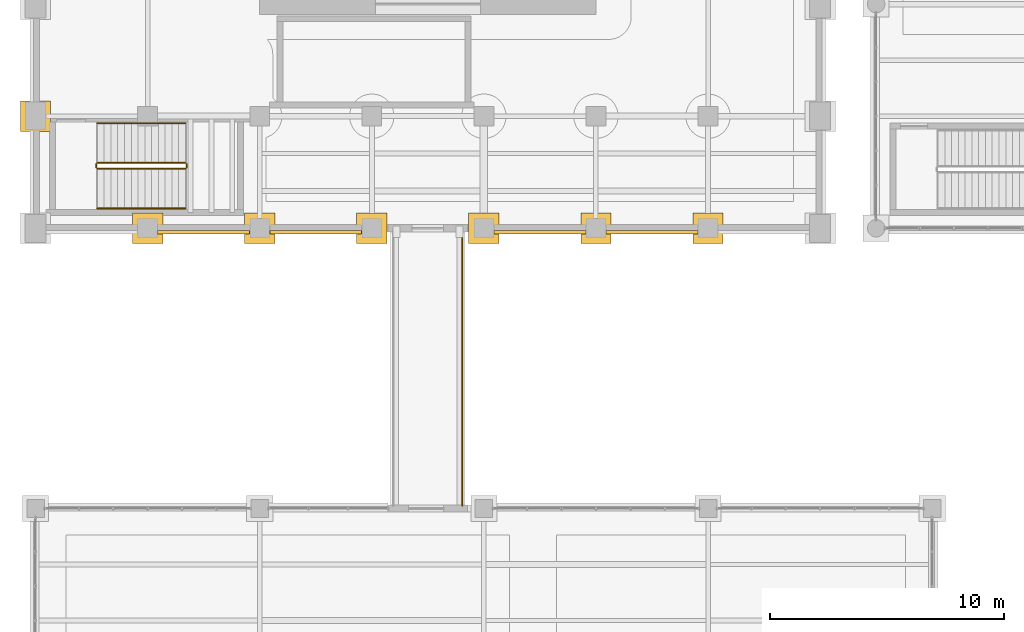
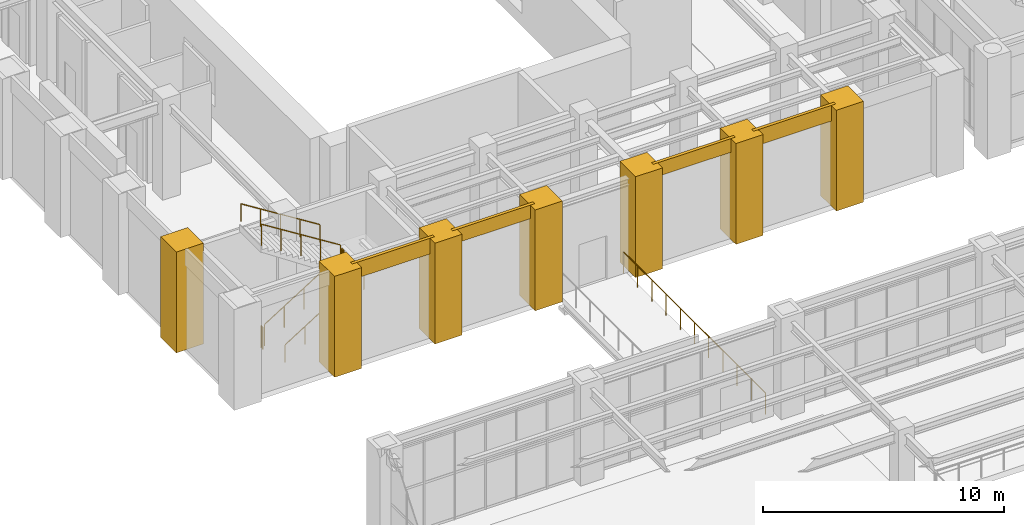
# One storey, part 155 of 174: 11 coverings, 7 railings.
"""IFC4 building model written with IfcOpenShell, lengths in metres."""

from ifc_helpers import new_model, si_unit, direction, frame, origin, origin_2d, place, context, subcontext, project, spatial, polyline, circle, outline, extrude, material, layer, layer_set, type_object, element, save


model = new_model("IFC4")

# Units and contexts
model_context = context("Model", 3, precision=1e-05, world=origin(), true_north=direction((0.0, 1.0)))
body_context = subcontext(model_context, "Body", "Model", "MODEL_VIEW")
ifc_project = project(units=[si_unit("LENGTHUNIT", "METRE"), si_unit("AREAUNIT", "SQUARE_METRE"), si_unit("VOLUMEUNIT", "CUBIC_METRE"), si_unit("PLANEANGLEUNIT", "RADIAN"), si_unit("MASSUNIT", "GRAM", prefix="KILO")], contexts=[model_context])

# Site, building, storey
site_placement = place(None, origin())
site = spatial("IfcSite", under=ifc_project, at=site_placement, CompositionType="ELEMENT")
building_placement = place(site_placement, origin())
building = spatial("IfcBuilding", under=site, at=building_placement, Name="Mavantir Sound Aquarium", CompositionType="ELEMENT")
storey_placement = place(building_placement, frame((0.0, 0.0, 5.39990234375)))
storey = spatial("IfcBuildingStorey", under=building, at=storey_placement, Name="L01", CompositionType="ELEMENT", Elevation=5.39990234375)

# Coverings
ifc_material_1 = material(Name="Honed Coral-Limestone & Glazed Terracotta Rainscreen Cladding", Category="masonry")
ifc_layer = layer(ifc_material_1, 0.06005859375, Name="Honed Coral-Limestone & Glazed Terracotta Rainscreen Cladding")
ifc_layer_set = layer_set([ifc_layer], Name="Honed Coral-Limestone & Glazed Terracotta Rainscreen Cladding")
covering_type = type_object("IfcCoveringType", Name="COV-CLAD-TC", PredefinedType="CLADDING", material=ifc_layer_set)
covering_1_placement = place(storey_placement, frame((0.0, 0.0, 4.30810546875)))
element("IfcCovering", 1, at=covering_1_placement, inside=storey, type_object=covering_type, Name="L01 Postmodern coral-limestone spandrel frieze 177", PredefinedType="CLADDING", context=body_context, shape_type="SweptSolid", body=[
    extrude(outline(polyline([(5.23291015625, 40.7099609375), (9.1669921875, 40.7099609375), (9.1669921875, 40.56005859375), (5.23291015625, 40.56005859375), (5.23291015625, 40.7099609375)])), origin(), (0.0, 0.0, 1.0), 0.7919921875),
])
covering_2_placement = place(storey_placement, frame((0.0, 0.0, 4.4130859375)))
element("IfcCovering", 2, at=covering_2_placement, inside=storey, type_object=covering_type, Name="L01 Postmodern coral-limestone spandrel frieze 178", PredefinedType="CLADDING", context=body_context, shape_type="SweptSolid", body=[
    extrude(outline(polyline([(10.032958984375, 40.7099609375), (13.967041015625, 40.7099609375), (13.967041015625, 40.56005859375), (10.032958984375, 40.56005859375), (10.032958984375, 40.7099609375)])), origin(), (0.0, 0.0, 1.0), 0.68701171875),
])
covering_3_placement = place(storey_placement, frame((0.0, 0.0, 4.4130859375)))
element("IfcCovering", 3, at=covering_3_placement, inside=storey, type_object=covering_type, Name="L01 Postmodern coral-limestone spandrel frieze 179", PredefinedType="CLADDING", context=body_context, shape_type="SweptSolid", body=[
    extrude(outline(polyline([(19.633056640625, 40.7099609375), (23.56689453125, 40.7099609375), (23.56689453125, 40.56005859375), (19.633056640625, 40.56005859375), (19.633056640625, 40.7099609375)])), origin(), (0.0, 0.0, 1.0), 0.68701171875),
])
covering_4_placement = place(storey_placement, frame((0.0, 0.0, 4.30810546875)))
element("IfcCovering", 4, at=covering_4_placement, inside=storey, type_object=covering_type, Name="L01 Postmodern coral-limestone spandrel frieze 180", PredefinedType="CLADDING", context=body_context, shape_type="SweptSolid", body=[
    extrude(outline(polyline([(24.43310546875, 40.7099609375), (28.366943359375, 40.7099609375), (28.366943359375, 40.56005859375), (24.43310546875, 40.56005859375), (24.43310546875, 40.7099609375)])), origin(), (0.0, 0.0, 1.0), 0.7919921875),
])
covering_5_placement = place(storey_placement, origin())
element("IfcCovering", 5, at=covering_5_placement, inside=storey, type_object=covering_type, Name="L01 Postmodern coral-limestone pilaster casing 6", PredefinedType="CLADDING", context=body_context, shape_type="SweptSolid", body=[
    extrude(outline(polyline([(-0.64990234375, 44.949951171875), (0.64990234375, 44.949951171875), (0.64990234375, 46.25), (-0.64990234375, 46.25), (-0.64990234375, 44.949951171875)])), origin(), (0.0, 0.0, 1.0), 5.10009765625),
])
covering_6_placement = place(storey_placement, origin())
element("IfcCovering", 6, at=covering_6_placement, inside=storey, type_object=covering_type, Name="L01 Postmodern coral-limestone pilaster casing 38", PredefinedType="CLADDING", context=body_context, shape_type="SweptSolid", body=[
    extrude(outline(polyline([(4.14990234375, 40.14990234375), (5.449951171875, 40.14990234375), (5.449951171875, 41.449951171875), (4.14990234375, 41.449951171875), (4.14990234375, 40.14990234375)])), origin(), (0.0, 0.0, 1.0), 5.10009765625),
])
covering_7_placement = place(storey_placement, origin())
element("IfcCovering", 7, at=covering_7_placement, inside=storey, type_object=covering_type, Name="L01 Postmodern coral-limestone pilaster casing 46", PredefinedType="CLADDING", context=body_context, shape_type="SweptSolid", body=[
    extrude(outline(polyline([(8.949951171875, 40.14990234375), (10.25, 40.14990234375), (10.25, 41.449951171875), (8.949951171875, 41.449951171875), (8.949951171875, 40.14990234375)])), origin(), (0.0, 0.0, 1.0), 5.10009765625),
])
covering_8_placement = place(storey_placement, origin())
element("IfcCovering", 8, at=covering_8_placement, inside=storey, type_object=covering_type, Name="L01 Postmodern coral-limestone pilaster casing 54", PredefinedType="CLADDING", context=body_context, shape_type="SweptSolid", body=[
    extrude(outline(polyline([(13.75, 40.14990234375), (15.050048828125, 40.14990234375), (15.050048828125, 41.449951171875), (13.75, 41.449951171875), (13.75, 40.14990234375)])), origin(), (0.0, 0.0, 1.0), 5.10009765625),
])
covering_9_placement = place(storey_placement, origin())
element("IfcCovering", 9, at=covering_9_placement, inside=storey, type_object=covering_type, Name="L01 Postmodern coral-limestone pilaster casing 62", PredefinedType="CLADDING", context=body_context, shape_type="SweptSolid", body=[
    extrude(outline(polyline([(18.550048828125, 40.14990234375), (19.85009765625, 40.14990234375), (19.85009765625, 41.449951171875), (18.550048828125, 41.449951171875), (18.550048828125, 40.14990234375)])), origin(), (0.0, 0.0, 1.0), 5.10009765625),
])
covering_10_placement = place(storey_placement, origin())
element("IfcCovering", 10, at=covering_10_placement, inside=storey, type_object=covering_type, Name="L01 Postmodern coral-limestone pilaster casing 70", PredefinedType="CLADDING", context=body_context, shape_type="SweptSolid", body=[
    extrude(outline(polyline([(23.35009765625, 40.14990234375), (24.64990234375, 40.14990234375), (24.64990234375, 41.449951171875), (23.35009765625, 41.449951171875), (23.35009765625, 40.14990234375)])), origin(), (0.0, 0.0, 1.0), 5.10009765625),
])
covering_11_placement = place(storey_placement, origin())
element("IfcCovering", 11, at=covering_11_placement, inside=storey, type_object=covering_type, Name="L01 Postmodern coral-limestone pilaster casing 78", PredefinedType="CLADDING", context=body_context, shape_type="SweptSolid", body=[
    extrude(outline(polyline([(28.14990234375, 40.14990234375), (29.449951171875, 40.14990234375), (29.449951171875, 41.449951171875), (28.14990234375, 41.449951171875), (28.14990234375, 40.14990234375)])), origin(), (0.0, 0.0, 1.0), 5.10009765625),
])

# Railings
ifc_material_2 = material(Name="Stainless Steel 316 Bridge Balustrade", Category="steel")
railing_type_1 = type_object("IfcRailingType", Name="RL-BAL-110", PredefinedType="BALUSTRADE", material=ifc_material_2)
railing_1_placement = place(storey_placement, frame((18.280029296875, 28.919921875, 0.0)))
element("IfcRailing", 12, at=railing_1_placement, inside=storey, type_object=railing_type_1, Name="L01 bridge E guardrail 7", PredefinedType="BALUSTRADE", context=body_context, shape_type="SweptSolid", body=[
    extrude(circle(Radius=0.02392578125, at=origin_2d()), frame((0.0, 0.0, 1.076171875), z_axis=(0.0, 1.0, 0.0), x_axis=(-1.0, 0.0, 0.0)), (0.0, 0.0, 1.0), 11.760009765625),
    extrude(circle(Radius=0.02099609375, at=origin_2d()), origin(), (0.0, 0.0, 1.0), 1.052001953125),
    extrude(circle(Radius=0.02099609375, at=origin_2d()), frame((0.0, 1.176025390625, 0.0)), (0.0, 0.0, 1.0), 1.052001953125),
    extrude(circle(Radius=0.02099609375, at=origin_2d()), frame((0.0, 2.35205078125, 0.0)), (0.0, 0.0, 1.0), 1.052001953125),
    extrude(circle(Radius=0.02099609375, at=origin_2d()), frame((0.0, 3.528076171875, 0.0)), (0.0, 0.0, 1.0), 1.052001953125),
    extrude(circle(Radius=0.02099609375, at=origin_2d()), frame((0.0, 4.7041015625, 0.0)), (0.0, 0.0, 1.0), 1.052001953125),
    extrude(circle(Radius=0.02099609375, at=origin_2d()), frame((0.0, 5.8798828125, 0.0)), (0.0, 0.0, 1.0), 1.052001953125),
    extrude(circle(Radius=0.02099609375, at=origin_2d()), frame((0.0, 7.055908203125, 0.0)), (0.0, 0.0, 1.0), 1.052001953125),
    extrude(circle(Radius=0.02099609375, at=origin_2d()), frame((0.0, 8.23193359375, 0.0)), (0.0, 0.0, 1.0), 1.052001953125),
    extrude(circle(Radius=0.02099609375, at=origin_2d()), frame((0.0, 9.407958984375, 0.0)), (0.0, 0.0, 1.0), 1.052001953125),
    extrude(circle(Radius=0.02099609375, at=origin_2d()), frame((0.0, 10.583984375, 0.0)), (0.0, 0.0, 1.0), 1.052001953125),
    extrude(circle(Radius=0.02099609375, at=origin_2d()), frame((0.0, 11.760009765625, 0.0)), (0.0, 0.0, 1.0), 1.052001953125),
])
ifc_material_3 = material(Name="Stainless Steel 316 and Laminated Glass Guardrail", Category="steel")
railing_type_2 = type_object("IfcRailingType", Name="RL-GUARD-110", PredefinedType="GUARDRAIL", material=ifc_material_3)
railing_2_placement = place(storey_placement, frame((2.64990234375, 43.35009765625, 0.18212890625)))
element("IfcRailing", 13, at=railing_2_placement, inside=storey, type_object=railing_type_2, Name="L01 ST1 stair guard 1", PredefinedType="GUARDRAIL", context=body_context, shape_type="SweptSolid", body=[
    extrude(circle(Radius=0.02392578125, at=origin_2d()), frame((0.0, 0.0, 1.076171875), z_axis=(0.846819337722, 0.0, 0.53188063441), x_axis=(0.0, 1.0, 0.0)), (0.0, 0.0, 1.0), 4.451904296875),
    extrude(circle(Radius=0.02099609375, at=origin_2d()), origin(), (0.0, 0.0, 1.0), 1.052001953125),
    extrude(circle(Radius=0.02099609375, at=origin_2d()), frame((0.9423828125, 0.0, 0.592041015625)), (0.0, 0.0, 1.0), 1.052001953125),
    extrude(circle(Radius=0.02099609375, at=origin_2d()), frame((1.885009765625, 0.0, 1.18408203125)), (0.0, 0.0, 1.0), 1.052001953125),
    extrude(circle(Radius=0.02099609375, at=origin_2d()), frame((2.82763671875, 0.0, 1.77587890625)), (0.0, 0.0, 1.0), 1.052001953125),
    extrude(circle(Radius=0.02099609375, at=origin_2d()), frame((3.77001953125, 0.0, 2.367919921875)), (0.0, 0.0, 1.0), 1.052001953125),
])
railing_3_placement = place(storey_placement, frame((6.469970703125, 43.39990234375, 2.550048828125)))
element("IfcRailing", 14, at=railing_3_placement, inside=storey, type_object=railing_type_2, Name="L01 ST1 stair guard 2", PredefinedType="GUARDRAIL", context=body_context, shape_type="SweptSolid", body=[
    extrude(circle(Radius=0.02392578125, at=origin_2d()), frame((0.0, 0.0, 1.076171875), z_axis=(0.0, 1.0, 0.0), x_axis=(-1.0, 0.0, 0.0)), (0.0, 0.0, 1.0), 0.150146484375),
    extrude(circle(Radius=0.02099609375, at=origin_2d()), origin(), (0.0, 0.0, 1.0), 1.052001953125),
    extrude(circle(Radius=0.02099609375, at=origin_2d()), frame((0.0, 0.150146484375, 0.0)), (0.0, 0.0, 1.0), 1.052001953125),
])
railing_4_placement = place(storey_placement, frame((6.419921875, 43.60009765625, 2.732177734375)))
element("IfcRailing", 15, at=railing_4_placement, inside=storey, type_object=railing_type_2, Name="L01 ST1 stair guard 3", PredefinedType="GUARDRAIL", context=body_context, shape_type="SweptSolid", body=[
    extrude(circle(Radius=0.02392578125, at=origin_2d()), frame((0.0, 0.0, 1.076171875), z_axis=(-0.846819337722, 0.0, 0.53188063441), x_axis=(0.0, -1.0, 0.0)), (0.0, 0.0, 1.0), 4.451904296875),
    extrude(circle(Radius=0.02099609375, at=origin_2d()), origin(), (0.0, 0.0, 1.0), 1.052001953125),
    extrude(circle(Radius=0.02099609375, at=origin_2d()), frame((-0.9423828125, 0.0, 0.592041015625)), (0.0, 0.0, 1.0), 1.052001953125),
    extrude(circle(Radius=0.02099609375, at=origin_2d()), frame((-1.885009765625, 0.0, 1.18408203125)), (0.0, 0.0, 1.0), 1.052001953125),
    extrude(circle(Radius=0.02099609375, at=origin_2d()), frame((-2.82763671875, 0.0, 1.77587890625)), (0.0, 0.0, 1.0), 1.052001953125),
    extrude(circle(Radius=0.02099609375, at=origin_2d()), frame((-3.77001953125, 0.0, 2.367919921875)), (0.0, 0.0, 1.0), 1.052001953125),
])
railing_5_placement = place(storey_placement, frame((2.60009765625, 43.39990234375, 0.0)))
element("IfcRailing", 16, at=railing_5_placement, inside=storey, type_object=railing_type_2, Name="L01 ST1 stair guard 4", PredefinedType="GUARDRAIL", context=body_context, shape_type="SweptSolid", body=[
    extrude(circle(Radius=0.02392578125, at=origin_2d()), frame((0.0, 0.0, 1.076171875), z_axis=(0.0, 1.0, 0.0), x_axis=(-1.0, 0.0, 0.0)), (0.0, 0.0, 1.0), 0.150146484375),
    extrude(circle(Radius=0.02099609375, at=origin_2d()), origin(), (0.0, 0.0, 1.0), 1.052001953125),
    extrude(circle(Radius=0.02099609375, at=origin_2d()), frame((0.0, 0.150146484375, 0.0)), (0.0, 0.0, 1.0), 1.052001953125),
])
ifc_material_4 = material(Name="Brushed Stainless Steel 316 Handrail", Category="steel")
railing_type_3 = type_object("IfcRailingType", Name="RL-HR-90", PredefinedType="HANDRAIL", material=ifc_material_4)
railing_6_placement = place(storey_placement, frame((2.64990234375, 41.64990234375, 0.3671875)))
element("IfcRailing", 17, at=railing_6_placement, inside=storey, type_object=railing_type_3, Name="L01 ST1 stair handrail 1", PredefinedType="HANDRAIL", context=body_context, shape_type="SweptSolid", body=[
    extrude(circle(Radius=0.02392578125, at=origin_2d()), frame((0.0, 0.0, 0.89111328125), z_axis=(0.846819337722, 0.0, 0.53188063441), x_axis=(0.0, 1.0, 0.0)), (0.0, 0.0, 1.0), 4.451904296875),
    extrude(circle(Radius=0.02099609375, at=origin_2d()), origin(), (0.0, 0.0, 1.0), 0.866943359375),
    extrude(circle(Radius=0.02099609375, at=origin_2d()), frame((0.9423828125, 0.0, 0.592041015625)), (0.0, 0.0, 1.0), 0.866943359375),
    extrude(circle(Radius=0.02099609375, at=origin_2d()), frame((1.885009765625, 0.0, 1.18408203125)), (0.0, 0.0, 1.0), 0.866943359375),
    extrude(circle(Radius=0.02099609375, at=origin_2d()), frame((2.82763671875, 0.0, 1.77587890625)), (0.0, 0.0, 1.0), 0.866943359375),
    extrude(circle(Radius=0.02099609375, at=origin_2d()), frame((3.77001953125, 0.0, 2.367919921875)), (0.0, 0.0, 1.0), 0.866943359375),
])
railing_7_placement = place(storey_placement, frame((6.419921875, 45.300048828125, 2.917236328125)))
element("IfcRailing", 18, at=railing_7_placement, inside=storey, type_object=railing_type_3, Name="L01 ST1 stair handrail 2", PredefinedType="HANDRAIL", context=body_context, shape_type="SweptSolid", body=[
    extrude(circle(Radius=0.02392578125, at=origin_2d()), frame((0.0, 0.0, 0.89111328125), z_axis=(-0.846819337722, 0.0, 0.53188063441), x_axis=(0.0, -1.0, 0.0)), (0.0, 0.0, 1.0), 4.451904296875),
    extrude(circle(Radius=0.02099609375, at=origin_2d()), origin(), (0.0, 0.0, 1.0), 0.866943359375),
    extrude(circle(Radius=0.02099609375, at=origin_2d()), frame((-0.9423828125, 0.0, 0.592041015625)), (0.0, 0.0, 1.0), 0.866943359375),
    extrude(circle(Radius=0.02099609375, at=origin_2d()), frame((-1.885009765625, 0.0, 1.18408203125)), (0.0, 0.0, 1.0), 0.866943359375),
    extrude(circle(Radius=0.02099609375, at=origin_2d()), frame((-2.82763671875, 0.0, 1.77587890625)), (0.0, 0.0, 1.0), 0.866943359375),
    extrude(circle(Radius=0.02099609375, at=origin_2d()), frame((-3.77001953125, 0.0, 2.367919921875)), (0.0, 0.0, 1.0), 0.866943359375),
])

save(model, "model.ifc")
